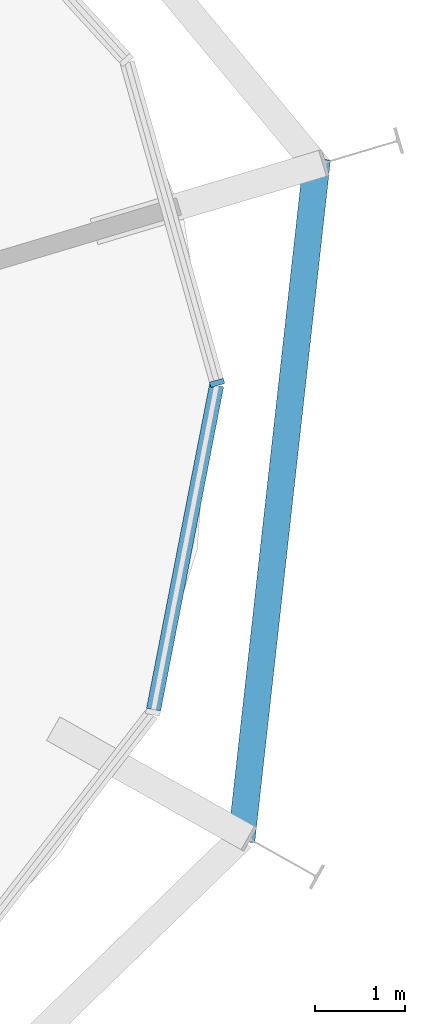
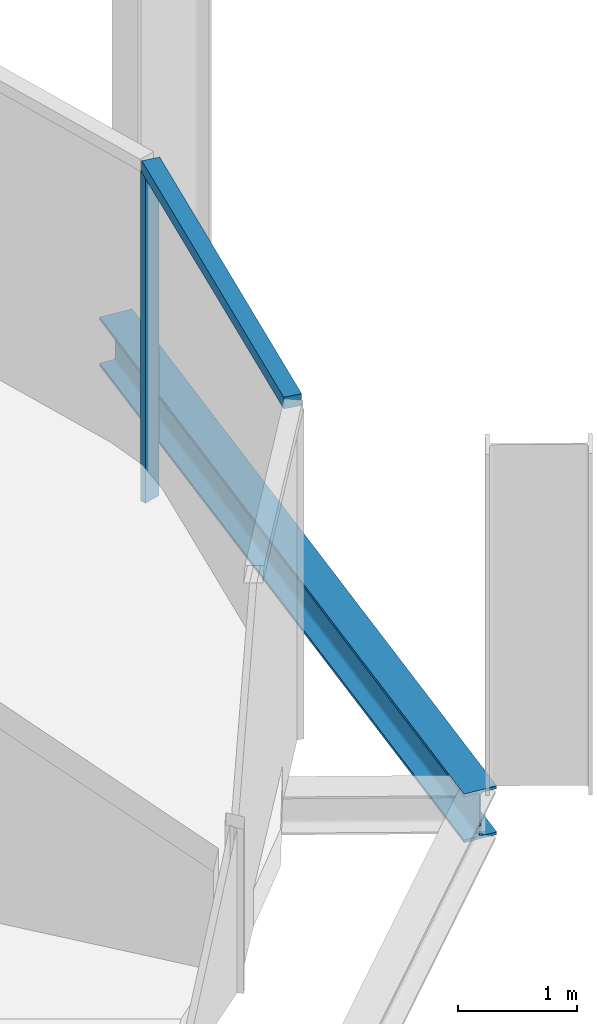
# One storey, part 5 of 17: 2 members, 1 beam, 1 element without a shape of its own.
"""IFC4 building model written with IfcOpenShell, lengths in metres."""

import ifcopenshell
import ifcopenshell.guid

model = None  # the IFC model being written
_history = None  # IfcOwnerHistory: only IFC2X3 demands one
_inside = {}  # id of a spatial element -> (the spatial element, [elements in it])
_under = {}  # id of a project, library or spatial element -> (it, [spatial elements below it])
_declared = {}  # id of a project -> (the project, [libraries it declares])
_typed = {}  # id of a type object -> (the type object, [elements of that type])
_made_of = {}  # id of a material, layer set ... -> (it, [elements and type objects made of it])


def new_model(schema):
    """Start an empty IFC model of exactly this schema.

    Asked for "IFC4X3", IfcOpenShell would pick the latest addendum, in which some entities
    have other attributes; the version numbers below select the first issue.
    IFC2X3 requires an IfcOwnerHistory on every rooted entity: one is made here for all.
    """
    global model, _history
    if schema == "IFC4X3":
        model = ifcopenshell.file(schema_version=(4, 3, 0, 0))
    else:
        model = ifcopenshell.file(schema=schema)
    _inside.clear()
    _under.clear()
    _declared.clear()
    _typed.clear()
    _made_of.clear()
    _history = None
    if model.schema == "IFC2X3":
        org = make("IfcOrganization", Name="unknown")
        user = make(
            "IfcPersonAndOrganization",
            ThePerson=make("IfcPerson", FamilyName="unknown"),
            TheOrganization=org,
        )
        app = make(
            "IfcApplication",
            ApplicationDeveloper=org,
            Version="unknown",
            ApplicationFullName="unknown",
            ApplicationIdentifier="unknown",
        )
        _history = make(
            "IfcOwnerHistory",
            OwningUser=user,
            OwningApplication=app,
            ChangeAction="ADDED",
            CreationDate=0,
        )
    return model


def make(cls, **values):
    """One entity of the class cls with the attributes given. An attribute that is None is left unset."""
    return model.create_entity(
        cls, **{name: value for name, value in values.items() if value is not None}
    )


def rooted(cls, **values):
    """An entity with a GlobalId (a new one), such as an element, a storey or a relation."""
    return make(cls, GlobalId=ifcopenshell.guid.new(), OwnerHistory=_history, **values)


def si_unit(unit_type, name, prefix=None):
    """IfcSIUnit, for example si_unit("LENGTHUNIT", "METRE", prefix="MILLI")."""
    return make("IfcSIUnit", UnitType=unit_type, Prefix=prefix, Name=name)


def assignment(units):
    """IfcUnitAssignment: the units of a project."""
    return None if units is None else make("IfcUnitAssignment", Units=units)


def point(xyz):
    """IfcCartesianPoint."""
    return None if xyz is None else make("IfcCartesianPoint", Coordinates=xyz)


def direction(xyz):
    """IfcDirection."""
    return None if xyz is None else make("IfcDirection", DirectionRatios=xyz)


def frame(location, z_axis=None, x_axis=None):
    """IfcAxis2Placement3D, a coordinate frame: its origin and axes. An axis left out is left unset."""
    return make(
        "IfcAxis2Placement3D",
        Location=point(location),
        Axis=direction(z_axis),
        RefDirection=direction(x_axis),
    )


def frame_2d(location, x_axis=None):
    """IfcAxis2Placement2D, a coordinate frame in the plane: its origin and x axis."""
    return make(
        "IfcAxis2Placement2D", Location=point(location), RefDirection=direction(x_axis)
    )


def origin():
    """The frame at (0, 0, 0) with its axes left unset."""
    return frame((0.0, 0.0, 0.0))


def origin_2d():
    """The frame at (0, 0) in the plane with its x axis left unset."""
    return frame_2d((0.0, 0.0))


def place(relative_to, where):
    """IfcLocalPlacement: puts the frame where relative to a parent placement (None: the world)."""
    return make(
        "IfcLocalPlacement", PlacementRelTo=relative_to, RelativePlacement=where
    )


def context(
    kind, dimensions, precision=None, world=None, true_north=None, identifier=None
):
    """IfcGeometricRepresentationContext, for example the 3D "Model" context."""
    return make(
        "IfcGeometricRepresentationContext",
        ContextIdentifier=identifier,
        ContextType=kind,
        CoordinateSpaceDimension=dimensions,
        Precision=precision,
        WorldCoordinateSystem=world,
        TrueNorth=true_north,
    )


def subcontext(parent, identifier, kind, view, scale=None):
    """IfcGeometricRepresentationSubContext, for example "Body" below "Model"."""
    return make(
        "IfcGeometricRepresentationSubContext",
        ContextIdentifier=identifier,
        ContextType=kind,
        ParentContext=parent,
        TargetScale=scale,
        TargetView=view,
    )


def project(units=None, contexts=None):
    """IfcProject with its units and contexts."""
    return rooted(
        "IfcProject",
        Name="project",
        RepresentationContexts=contexts,
        UnitsInContext=assignment(units),
    )


def spatial(cls, under=None, at=None, **own):
    """A site, building, storey or space (cls), placed at a placement, below another one or the project."""
    s = rooted(cls, ObjectPlacement=at, **own)
    if under is not None:
        _under.setdefault(under.id(), (under, []))[1].append(s)
    return s


def profile(cls, at=None, kind="AREA", **sizes):
    """A parametric profile (cls). Its sizes go by their IFC names, for example OverallWidth=200.0."""
    return make(cls, ProfileType=kind, Position=at, **sizes)


def rectangle(**sizes):
    """IfcRectangleProfileDef."""
    return profile("IfcRectangleProfileDef", **sizes)


def i_section(**sizes):
    """IfcIShapeProfileDef."""
    return profile("IfcIShapeProfileDef", **sizes)


def extrude(swept, where, along, depth):
    """IfcExtrudedAreaSolid: the profile swept, set in the frame where, extruded along a direction by depth."""
    return make(
        "IfcExtrudedAreaSolid",
        SweptArea=swept,
        Position=where,
        ExtrudedDirection=direction(along),
        Depth=depth,
    )


def shape(context_of_items, identifier, shape_type, items):
    """IfcShapeRepresentation: the items that make up one representation, for example the "Body"."""
    return make(
        "IfcShapeRepresentation",
        ContextOfItems=context_of_items,
        RepresentationIdentifier=identifier,
        RepresentationType=shape_type,
        Items=items,
    )


def material(Name=None, Category=None):
    """IfcMaterial."""
    return make("IfcMaterial", Name=Name, Category=Category)


def layer(
    of_material, thickness, ventilated=None, Name=None, Category=None, Priority=None
):
    """IfcMaterialLayer: one layer of a wall or slab, of a material (None: an air gap)."""
    return make(
        "IfcMaterialLayer",
        Material=of_material,
        LayerThickness=thickness,
        IsVentilated=ventilated,
        Name=Name,
        Category=Category,
        Priority=Priority,
    )


def layer_set(layers, Name=None):
    """IfcMaterialLayerSet."""
    return make("IfcMaterialLayerSet", MaterialLayers=layers, LayerSetName=Name)


def material_profile(
    of_material, cross_section, Name=None, Category=None, Priority=None
):
    """IfcMaterialProfile: a cross section and its material."""
    return make(
        "IfcMaterialProfile",
        Name=Name,
        Material=of_material,
        Profile=cross_section,
        Priority=Priority,
        Category=Category,
    )


def profile_set(profiles, Name=None, composite=None):
    """IfcMaterialProfileSet."""
    return make(
        "IfcMaterialProfileSet",
        Name=Name,
        MaterialProfiles=profiles,
        CompositeProfile=composite,
    )


def made_of(thing, what):
    """Note that an element or type object is made of a material, layer set ...; save() writes the relation."""
    if what is not None:
        _made_of.setdefault(what.id(), (what, []))[1].append(thing)
    return thing


def type_object(cls, material=None, **own):
    """A type object (cls), such as IfcWallType, which elements share."""
    return made_of(rooted(cls, **own), material)


def element(
    cls,
    number,
    at=None,
    inside=None,
    cuts=None,
    type_object=None,
    material=None,
    context=None,
    identifier="Body",
    shape_type=None,
    held_by="IfcProductDefinitionShape",
    body=None,
    shapes=None,
    **own,
):
    """One element of the class cls, such as IfcWall. Its Tag is "e" and its number.

    at: its placement. inside: the storey or other place that contains it. cuts: it is an
    opening in that element (IfcRelVoidsElement). A single representation is given by context,
    identifier, shape_type and body (its items); several are given by shapes. held_by: the class
    of the entity that holds the representations. save() writes the other relations.
    """
    e = rooted(cls, Tag="e%d" % number, ObjectPlacement=at, **own)
    if body is not None:
        shapes = [shape(context, identifier, shape_type, body)]
    if shapes is not None:
        e.Representation = make(held_by, Representations=shapes)
    if inside is not None:
        _inside.setdefault(inside.id(), (inside, []))[1].append(e)
    if cuts is not None:
        rooted(
            "IfcRelVoidsElement", RelatingBuildingElement=cuts, RelatedOpeningElement=e
        )
    if type_object is not None:
        _typed.setdefault(type_object.id(), (type_object, []))[1].append(e)
    return made_of(e, material)


def aggregate(whole, parts):
    """IfcRelAggregates: a whole, such as a stair, and the parts it consists of."""
    return rooted("IfcRelAggregates", RelatingObject=whole, RelatedObjects=parts)


def save(model, path):
    """Write the relations noted so far, then the file.

    IfcRelAggregates (storeys below a building ...), IfcRelContainedInSpatialStructure (elements
    in a storey), IfcRelDefinesByType, IfcRelAssociatesMaterial and IfcRelDeclares: one each for
    every whole, place, type object, material and project.
    """
    for whole, parts in _under.values():
        aggregate(whole, parts)
    for where, things in _inside.values():
        rooted(
            "IfcRelContainedInSpatialStructure",
            RelatedElements=things,
            RelatingStructure=where,
        )
    for kind, things in _typed.values():
        rooted("IfcRelDefinesByType", RelatedObjects=things, RelatingType=kind)
    for what, things in _made_of.values():
        rooted("IfcRelAssociatesMaterial", RelatedObjects=things, RelatingMaterial=what)
    for by, libraries in _declared.values():
        rooted("IfcRelDeclares", RelatingContext=by, RelatedDefinitions=libraries)
    model.write(path)


model = new_model("IFC4")

# Units and contexts
model_context = context("Model", 3, precision=1e-05, world=origin(), true_north=direction((0.0, 1.0)))
body_context = subcontext(model_context, "Body", "Model", "MODEL_VIEW")
ifc_project = project(units=[si_unit("LENGTHUNIT", "METRE"), si_unit("AREAUNIT", "SQUARE_METRE"), si_unit("VOLUMEUNIT", "CUBIC_METRE"), si_unit("PLANEANGLEUNIT", "RADIAN"), si_unit("MASSUNIT", "GRAM", prefix="KILO")], contexts=[model_context])

# Site, building, storey
site_placement = place(None, origin())
site = spatial("IfcSite", under=ifc_project, at=site_placement, CompositionType="ELEMENT")
building_placement = place(site_placement, origin())
building = spatial("IfcBuilding", under=site, at=building_placement, Name="Spindle Arch Residences", CompositionType="ELEMENT")
storey_placement = place(building_placement, frame((0.0, 0.0, 270.39990234375)))
storey = spatial("IfcBuildingStorey", under=building, at=storey_placement, Name="L69", CompositionType="ELEMENT", Elevation=270.39990234375)

# Curtain wall, members
ifc_material_1 = material(Name="Aluminium bronze unitised frame with tinted glass", Category="aluminium")
ifc_layer = layer(ifc_material_1, 0.159912109375)
ifc_layer_set = layer_set([ifc_layer], Name="CW-D corner wall on the fillet arcs")
curtain_wall_type = type_object("IfcCurtainWallType", Name="CW-D corner wall on the fillet arcs", PredefinedType="NOTDEFINED", material=ifc_layer_set)
curtain_wall_placement = place(storey_placement, origin())
curtain_wall = element("IfcCurtainWall", 1, at=curtain_wall_placement, inside=storey, type_object=curtain_wall_type, Name="CW-D L69 run 1", PredefinedType="NOTDEFINED")
ifc_material_2 = material(Name="Aluminium bronze anodised mullion", Category="aluminium")
ifc_material_profile_1 = material_profile(ifc_material_2, rectangle(XDim=0.159912109375, YDim=0.06005859375, at=origin_2d()), Name="MU 60x160")
ifc_profile_set_1 = profile_set([ifc_material_profile_1], Name="Aluminium bronze anodised mullion")
member_type_1 = type_object("IfcMemberType", Name="Bronze mullion 60x160", PredefinedType="MULLION", material=ifc_profile_set_1)
member_1_placement = place(storey_placement, frame((26.832763671875, 3.300048828125, -0.3798828125), z_axis=(0.0, 0.0, 1.0), x_axis=(-0.962849012696, -0.270040328007, 0.0)))
member_1 = element("IfcMember", 2, at=member_1_placement, type_object=member_type_1, Name="CW-D mullion 03", PredefinedType="MULLION", context=body_context, shape_type="SweptSolid", body=[
    extrude(rectangle(XDim=0.159912109375, YDim=0.06005859375, at=origin_2d()), origin(), (0.0, 0.0, 1.0), 3.3798828125),
])
ifc_material_3 = material(Name="Aluminium bronze anodised transom", Category="aluminium")
ifc_material_profile_2 = material_profile(ifc_material_3, rectangle(XDim=0.159912109375, YDim=0.1201171875, at=origin_2d()), Name="TR 120x160")
ifc_profile_set_2 = profile_set([ifc_material_profile_2], Name="Aluminium bronze anodised transom")
member_type_2 = type_object("IfcMemberType", Name="Bronze transom 120x160", PredefinedType="USERDEFINED", material=ifc_profile_set_2)
member_2_placement = place(storey_placement, frame((26.127197265625, -0.32861328125, 3.06005859375), z_axis=(0.190825105639, 0.981624051793, 0.0), x_axis=(-0.981624051793, 0.190825105639, 0.0)))
member_2 = element("IfcMember", 3, at=member_2_placement, type_object=member_type_2, Name="CW-D transom 02", ObjectType="TRANSOM", PredefinedType="USERDEFINED", context=body_context, shape_type="SweptSolid", body=[
    extrude(rectangle(XDim=0.159912109375, YDim=0.1201171875, at=origin_2d()), origin(), (0.0, 0.0, 1.0), 3.666748046875),
])
aggregate(curtain_wall, [member_2, member_1])

# Beam
ifc_material_4 = material(Name="Steel S460ML, intumescent coating R 120", Category="steel")
ifc_material_profile_3 = material_profile(ifc_material_4, i_section(OverallWidth=0.300048828125, OverallDepth=0.5, WebThickness=0.014404296875, FlangeThickness=0.028076171875, FilletRadius=0.027099609375, at=origin_2d()), Name="HEB 500")
ifc_profile_set_3 = profile_set([ifc_material_profile_3], Name="Steel S460ML, intumescent coating R 120")
beam_type = type_object("IfcBeamType", Name="Exoskeleton edge beam HEB 500", PredefinedType="BEAM", material=ifc_profile_set_3)
beam_placement = place(storey_placement, frame((27.102294921875, -1.793701171875, -0.6298828125), z_axis=(0.110238412097, 0.99390517279, 0.0), x_axis=(-0.99390517279, 0.110238412097, 0.0)))
element("IfcBeam", 4, at=beam_placement, inside=storey, type_object=beam_type, Name="Exoskeleton edge beam 3", PredefinedType="BEAM", context=body_context, shape_type="SweptSolid", body=[
    extrude(i_section(OverallWidth=0.300048828125, OverallDepth=0.5, WebThickness=0.014404296875, FlangeThickness=0.028076171875, FilletRadius=0.027099609375, at=origin_2d()), origin(), (0.0, 0.0, 1.0), 7.6318359375),
])

save(model, "model.ifc")
